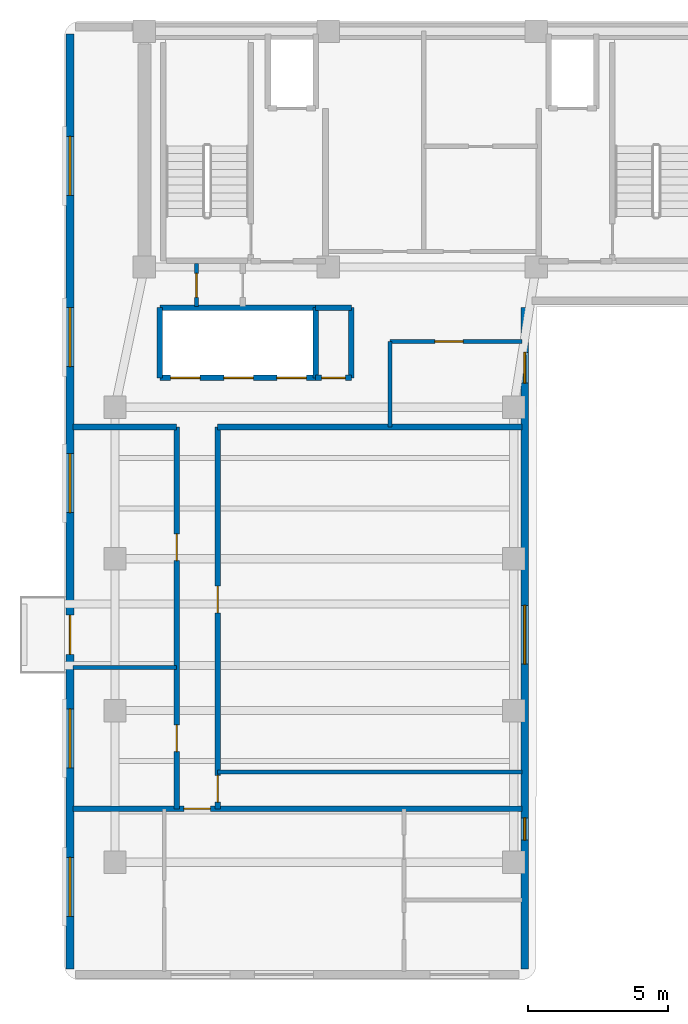
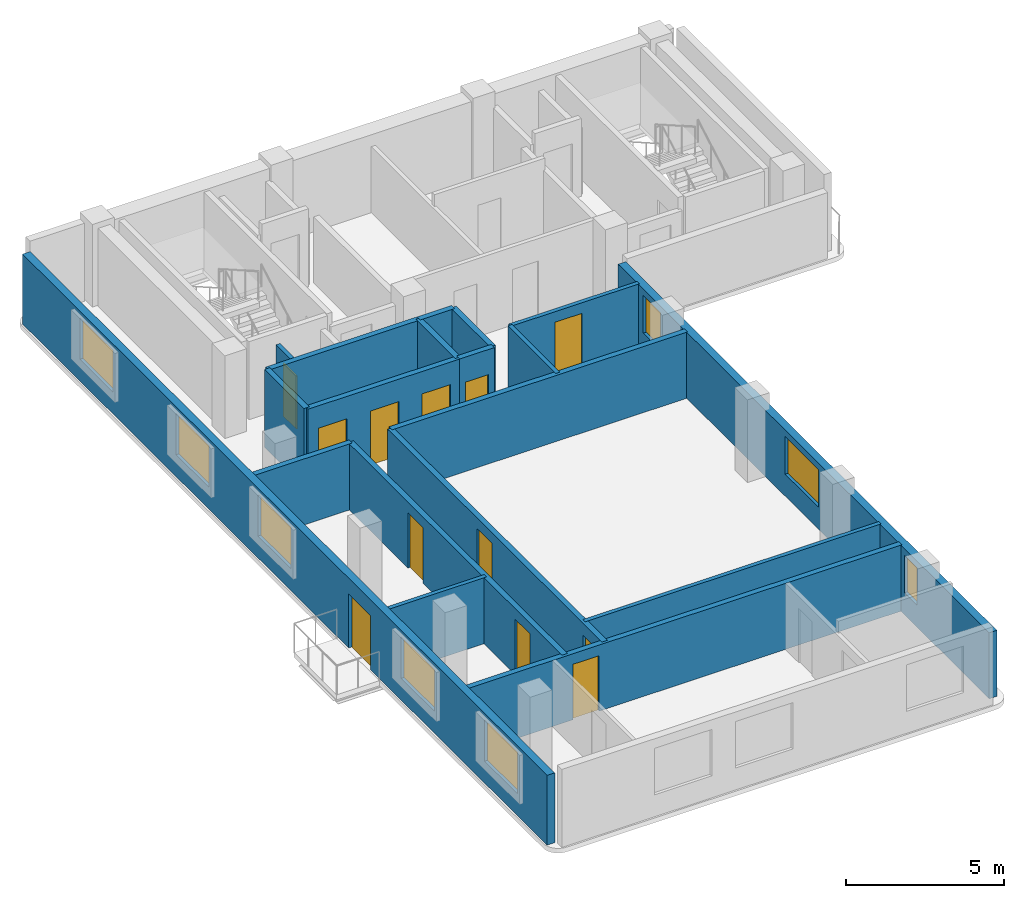
# One storey, part 2 of 5: 19 walls, 12 doors, 8 windows, 20 openings.
"""IFC4 building model written with IfcOpenShell, lengths in metres."""

from ifc_helpers import new_model, si_unit, direction, frame, frame_2d, origin, place, context, subcontext, project, spatial, rectangle, extrude, material, layer, layer_set, type_object, element, fill, save


model = new_model("IFC4")

# Units and contexts
model_context = context("Model", 3, precision=1e-05, world=origin(), true_north=direction((0.0, 1.0)))
body_context = subcontext(model_context, "Body", "Model", "MODEL_VIEW")
ifc_project = project(units=[si_unit("LENGTHUNIT", "METRE"), si_unit("AREAUNIT", "SQUARE_METRE"), si_unit("VOLUMEUNIT", "CUBIC_METRE"), si_unit("PLANEANGLEUNIT", "RADIAN"), si_unit("MASSUNIT", "GRAM", prefix="KILO")], contexts=[model_context])

# Site, building, storey
site_placement = place(None, origin())
site = spatial("IfcSite", under=ifc_project, at=site_placement, CompositionType="ELEMENT")
building_placement = place(site_placement, origin())
building = spatial("IfcBuilding", under=site, at=building_placement, Name="Kuzgunbayir Cultural Tower", CompositionType="ELEMENT")
storey_placement = place(building_placement, frame((0.0, 0.0, 231.199951171875)))
storey = spatial("IfcBuildingStorey", under=building, at=storey_placement, Name="L68", CompositionType="ELEMENT", Elevation=231.199951171875)

# Wall, openings, door, windows
ifc_material_1 = material(Name="Anatolian Cream Limestone", Category="masonry")
ifc_layer_1 = layer(ifc_material_1, 0.280029296875)
ifc_layer_set_1 = layer_set([ifc_layer_1], Name="Anatolian Cream Limestone")
wall_type_1 = type_object("IfcWallType", Name="WAL-EXT-STONE-280", PredefinedType="STANDARD", material=ifc_layer_set_1)
wall_1_placement = place(storey_placement, frame((3.800048828125, 42.10009765625, 0.0), z_axis=(0.0, 0.0, 1.0), x_axis=(0.0, -1.0, 0.0)))
wall_1 = element("IfcWall", 1, at=wall_1_placement, inside=storey, type_object=wall_type_1, Name="L68 Wing A West Limestone Wall", PredefinedType="STANDARD", context=body_context, shape_type="SweptSolid", body=[
    extrude(rectangle(XDim=33.300048828125, YDim=0.280029296875, at=frame_2d((16.64990234375, 0.0))), origin(), (0.0, 0.0, 1.0), 2.7099609375),
])
opening_1_placement = place(wall_1_placement, frame((20.699951171875, 0.0, 0.0)))
opening_1 = element("IfcOpeningElement", 2, at=opening_1_placement, cuts=wall_1, Name="Opening BD-15", PredefinedType="OPENING", context=body_context, shape_type="SweptSolid", body=[
    extrude(rectangle(XDim=1.39990234375, YDim=2.10009765625, at=frame_2d((0.699951171875, 1.050048828125))), frame((0.0, 0.14990234375, 0.0), z_axis=(0.0, -1.0, 0.0), x_axis=(1.0, 0.0, 0.0)), (0.0, 0.0, 1.0), 0.300048828125),
])
opening_2_placement = place(wall_1_placement, frame((29.330078125, 0.0, 0.85009765625)))
opening_2 = element("IfcOpeningElement", 3, at=opening_2_placement, cuts=wall_1, Name="Opening WR-21", PredefinedType="OPENING", context=body_context, shape_type="SweptSolid", body=[
    extrude(rectangle(XDim=2.10009765625, YDim=1.610107421875, at=frame_2d((1.050048828125, 0.80517578125))), frame((0.0, 0.14990234375, 0.0), z_axis=(0.0, -1.0, 0.0), x_axis=(1.0, 0.0, 0.0)), (0.0, 0.0, 1.0), 0.300048828125),
])
opening_3_placement = place(wall_1_placement, frame((24.0400390625, 0.0, 0.85009765625)))
opening_3 = element("IfcOpeningElement", 4, at=opening_3_placement, cuts=wall_1, Name="Opening WR-21", PredefinedType="OPENING", context=body_context, shape_type="SweptSolid", body=[
    extrude(rectangle(XDim=2.10009765625, YDim=1.610107421875, at=frame_2d((1.050048828125, 0.80517578125))), frame((0.0, 0.14990234375, 0.0), z_axis=(0.0, -1.0, 0.0), x_axis=(1.0, 0.0, 0.0)), (0.0, 0.0, 1.0), 0.300048828125),
])
opening_4_placement = place(wall_1_placement, frame((14.949951171875, 0.0, 0.85009765625)))
opening_4 = element("IfcOpeningElement", 5, at=opening_4_placement, cuts=wall_1, Name="Opening WR-21", PredefinedType="OPENING", context=body_context, shape_type="SweptSolid", body=[
    extrude(rectangle(XDim=2.10009765625, YDim=1.610107421875, at=frame_2d((1.050048828125, 0.80517578125))), frame((0.0, 0.14990234375, 0.0), z_axis=(0.0, -1.0, 0.0), x_axis=(1.0, 0.0, 0.0)), (0.0, 0.0, 1.0), 0.300048828125),
])
opening_5_placement = place(wall_1_placement, frame((9.75, 0.0, 0.85009765625)))
opening_5 = element("IfcOpeningElement", 6, at=opening_5_placement, cuts=wall_1, Name="Opening WR-21", PredefinedType="OPENING", context=body_context, shape_type="SweptSolid", body=[
    extrude(rectangle(XDim=2.10009765625, YDim=1.610107421875, at=frame_2d((1.050048828125, 0.80517578125))), frame((0.0, 0.14990234375, 0.0), z_axis=(0.0, -1.0, 0.0), x_axis=(1.0, 0.0, 0.0)), (0.0, 0.0, 1.0), 0.300048828125),
])
opening_6_placement = place(wall_1_placement, frame((3.64990234375, 0.0, 0.85009765625)))
opening_6 = element("IfcOpeningElement", 7, at=opening_6_placement, cuts=wall_1, Name="Opening WR-21", PredefinedType="OPENING", context=body_context, shape_type="SweptSolid", body=[
    extrude(rectangle(XDim=2.10009765625, YDim=1.610107421875, at=frame_2d((1.050048828125, 0.80517578125))), frame((0.0, 0.14990234375, 0.0), z_axis=(0.0, -1.0, 0.0), x_axis=(1.0, 0.0, 0.0)), (0.0, 0.0, 1.0), 0.300048828125),
])
ifc_material_2 = material(Name="Thermally Broken Glazed Aluminium", Category="aluminium")
door_type_1 = type_object("IfcDoorType", Name="DR-BALCONY-150", OperationType="SLIDING_TO_RIGHT", PredefinedType="DOOR", material=ifc_material_2)
door_1_placement = place(opening_1_placement, origin())
door_1 = element("IfcDoor", 8, at=door_1_placement, inside=storey, type_object=door_type_1, Name="L68 West Balcony Sliding Door BAL-L68-WA2", OperationType="SLIDING_TO_RIGHT", OverallHeight=2.10009765625, OverallWidth=1.39990234375, PredefinedType="DOOR", context=body_context, shape_type="SweptSolid", body=[
    extrude(rectangle(XDim=1.39990234375, YDim=2.10009765625, at=frame_2d((0.699951171875, 1.050048828125))), frame((0.0, 0.02490234375, 0.0), z_axis=(0.0, -1.0, 0.0), x_axis=(1.0, 0.0, 0.0)), (0.0, 0.0, 1.0), 0.050048828125),
])
fill(opening_1, door_1)
ifc_material_3 = material(Name="Solar-Control Triple Glazing", Category="glass")
window_type_1 = type_object("IfcWindowType", Name="WIN-RESID-21", PartitioningType="SINGLE_PANEL", PredefinedType="WINDOW", material=ifc_material_3)
window_1_placement = place(opening_2_placement, origin())
window_1 = element("IfcWindow", 9, at=window_1_placement, inside=storey, type_object=window_type_1, Name="L68 WAW Facade Window 2", OverallHeight=1.610107421875, OverallWidth=2.10009765625, PartitioningType="SINGLE_PANEL", PredefinedType="WINDOW", context=body_context, shape_type="SweptSolid", body=[
    extrude(rectangle(XDim=2.10009765625, YDim=1.610107421875, at=frame_2d((1.050048828125, 0.80517578125))), frame((0.0, 0.030029296875, 0.0), z_axis=(0.0, -1.0, 0.0), x_axis=(1.0, 0.0, 0.0)), (0.0, 0.0, 1.0), 0.06005859375),
])
fill(opening_2, window_1)
window_2_placement = place(opening_3_placement, origin())
window_2 = element("IfcWindow", 10, at=window_2_placement, inside=storey, type_object=window_type_1, Name="L68 WAW Facade Window 6", OverallHeight=1.610107421875, OverallWidth=2.10009765625, PartitioningType="SINGLE_PANEL", PredefinedType="WINDOW", context=body_context, shape_type="SweptSolid", body=[
    extrude(rectangle(XDim=2.10009765625, YDim=1.610107421875, at=frame_2d((1.050048828125, 0.80517578125))), frame((0.0, 0.030029296875, 0.0), z_axis=(0.0, -1.0, 0.0), x_axis=(1.0, 0.0, 0.0)), (0.0, 0.0, 1.0), 0.06005859375),
])
fill(opening_3, window_2)
window_3_placement = place(opening_4_placement, origin())
window_3 = element("IfcWindow", 11, at=window_3_placement, inside=storey, type_object=window_type_1, Name="L68 WAW Facade Window 8", OverallHeight=1.610107421875, OverallWidth=2.10009765625, PartitioningType="SINGLE_PANEL", PredefinedType="WINDOW", context=body_context, shape_type="SweptSolid", body=[
    extrude(rectangle(XDim=2.10009765625, YDim=1.610107421875, at=frame_2d((1.050048828125, 0.80517578125))), frame((0.0, 0.030029296875, 0.0), z_axis=(0.0, -1.0, 0.0), x_axis=(1.0, 0.0, 0.0)), (0.0, 0.0, 1.0), 0.06005859375),
])
fill(opening_4, window_3)
window_4_placement = place(opening_5_placement, origin())
window_4 = element("IfcWindow", 12, at=window_4_placement, inside=storey, type_object=window_type_1, Name="L68 WAW Facade Window 9", OverallHeight=1.610107421875, OverallWidth=2.10009765625, PartitioningType="SINGLE_PANEL", PredefinedType="WINDOW", context=body_context, shape_type="SweptSolid", body=[
    extrude(rectangle(XDim=2.10009765625, YDim=1.610107421875, at=frame_2d((1.050048828125, 0.80517578125))), frame((0.0, 0.030029296875, 0.0), z_axis=(0.0, -1.0, 0.0), x_axis=(1.0, 0.0, 0.0)), (0.0, 0.0, 1.0), 0.06005859375),
])
fill(opening_5, window_4)
window_5_placement = place(opening_6_placement, origin())
window_5 = element("IfcWindow", 13, at=window_5_placement, inside=storey, type_object=window_type_1, Name="L68 WAW Facade Window 10", OverallHeight=1.610107421875, OverallWidth=2.10009765625, PartitioningType="SINGLE_PANEL", PredefinedType="WINDOW", context=body_context, shape_type="SweptSolid", body=[
    extrude(rectangle(XDim=2.10009765625, YDim=1.610107421875, at=frame_2d((1.050048828125, 0.80517578125))), frame((0.0, 0.030029296875, 0.0), z_axis=(0.0, -1.0, 0.0), x_axis=(1.0, 0.0, 0.0)), (0.0, 0.0, 1.0), 0.06005859375),
])
fill(opening_6, window_5)

# Wall, openings, windows
wall_2_placement = place(storey_placement, frame((20.0, 8.800048828125, 0.0), z_axis=(0.0, 0.0, 1.0), x_axis=(0.0, 1.0, 0.0)))
wall_2 = element("IfcWall", 14, at=wall_2_placement, inside=storey, type_object=wall_type_1, Name="L68 Wing A East Limestone Wall", PredefinedType="STANDARD", context=body_context, shape_type="SweptSolid", body=[
    extrude(rectangle(XDim=23.550048828125, YDim=0.280029296875, at=frame_2d((11.77490234375, 0.0))), origin(), (0.0, 0.0, 1.0), 2.56005859375),
])
opening_7_placement = place(wall_2_placement, frame((20.860107421875, 0.0, 0.85009765625)))
opening_7 = element("IfcOpeningElement", 15, at=opening_7_placement, cuts=wall_2, Name="Opening WN-11", PredefinedType="OPENING", context=body_context, shape_type="SweptSolid", body=[
    extrude(rectangle(XDim=1.10009765625, YDim=1.4599609375, at=frame_2d((0.550048828125, 0.72998046875))), frame((0.0, 0.14990234375, 0.0), z_axis=(0.0, -1.0, 0.0), x_axis=(1.0, 0.0, 0.0)), (0.0, 0.0, 1.0), 0.300048828125),
])
opening_8_placement = place(wall_2_placement, frame((4.580078125, 0.0, 0.85009765625)))
opening_8 = element("IfcOpeningElement", 16, at=opening_8_placement, cuts=wall_2, Name="Opening WN-08", PredefinedType="OPENING", context=body_context, shape_type="SweptSolid", body=[
    extrude(rectangle(XDim=0.800048828125, YDim=1.4599609375, at=frame_2d((0.39990234375, 0.72998046875))), frame((0.0, 0.14990234375, 0.0), z_axis=(0.0, -1.0, 0.0), x_axis=(1.0, 0.0, 0.0)), (0.0, 0.0, 1.0), 0.300048828125),
])
opening_9_placement = place(wall_2_placement, frame((10.85009765625, 0.0, 0.85009765625)))
opening_9 = element("IfcOpeningElement", 17, at=opening_9_placement, cuts=wall_2, Name="Opening WR-21", PredefinedType="OPENING", context=body_context, shape_type="SweptSolid", body=[
    extrude(rectangle(XDim=2.10009765625, YDim=1.4599609375, at=frame_2d((1.050048828125, 0.72998046875))), frame((0.0, 0.14990234375, 0.0), z_axis=(0.0, -1.0, 0.0), x_axis=(1.0, 0.0, 0.0)), (0.0, 0.0, 1.0), 0.300048828125),
])
window_type_2 = type_object("IfcWindowType", Name="WIN-NARROW-11", PartitioningType="SINGLE_PANEL", PredefinedType="WINDOW", material=ifc_material_3)
window_6_placement = place(opening_7_placement, origin())
window_6 = element("IfcWindow", 18, at=window_6_placement, inside=storey, type_object=window_type_2, Name="L68 WAE Facade Window 1", OverallHeight=1.4599609375, OverallWidth=1.10009765625, PartitioningType="SINGLE_PANEL", PredefinedType="WINDOW", context=body_context, shape_type="SweptSolid", body=[
    extrude(rectangle(XDim=1.10009765625, YDim=1.4599609375, at=frame_2d((0.550048828125, 0.72998046875))), frame((0.0, 0.030029296875, 0.0), z_axis=(0.0, -1.0, 0.0), x_axis=(1.0, 0.0, 0.0)), (0.0, 0.0, 1.0), 0.06005859375),
])
fill(opening_7, window_6)
window_type_3 = type_object("IfcWindowType", Name="WIN-NARROW-80", PartitioningType="SINGLE_PANEL", PredefinedType="WINDOW", material=ifc_material_3)
window_7_placement = place(opening_8_placement, origin())
window_7 = element("IfcWindow", 19, at=window_7_placement, inside=storey, type_object=window_type_3, Name="L68 WAE Facade Window 5", OverallHeight=1.4599609375, OverallWidth=0.800048828125, PartitioningType="SINGLE_PANEL", PredefinedType="WINDOW", context=body_context, shape_type="SweptSolid", body=[
    extrude(rectangle(XDim=0.800048828125, YDim=1.4599609375, at=frame_2d((0.39990234375, 0.72998046875))), frame((0.0, 0.030029296875, 0.0), z_axis=(0.0, -1.0, 0.0), x_axis=(1.0, 0.0, 0.0)), (0.0, 0.0, 1.0), 0.06005859375),
])
fill(opening_8, window_7)
window_8_placement = place(opening_9_placement, origin())
window_8 = element("IfcWindow", 20, at=window_8_placement, inside=storey, type_object=window_type_1, Name="L68 WAE Facade Window 7", OverallHeight=1.4599609375, OverallWidth=2.10009765625, PartitioningType="SINGLE_PANEL", PredefinedType="WINDOW", context=body_context, shape_type="SweptSolid", body=[
    extrude(rectangle(XDim=2.10009765625, YDim=1.4599609375, at=frame_2d((1.050048828125, 0.72998046875))), frame((0.0, 0.030029296875, 0.0), z_axis=(0.0, -1.0, 0.0), x_axis=(1.0, 0.0, 0.0)), (0.0, 0.0, 1.0), 0.06005859375),
])
fill(opening_9, window_8)

# Wall, opening, door
ifc_material_4 = material(Name="Acoustic Double-Stud Drywall", Category="gypsum")
ifc_layer_2 = layer(ifc_material_4, 0.14990234375)
ifc_layer_set_2 = layer_set([ifc_layer_2], Name="Acoustic Double-Stud Drywall")
wall_type_2 = type_object("IfcWallType", Name="WAL-PART-ACOUSTIC-150", PredefinedType="PARTITIONING", material=ifc_layer_set_2)
wall_3_placement = place(storey_placement, frame((8.300048828125, 32.39990234375, 0.0), z_axis=(0.0, 0.0, 1.0), x_axis=(0.0, 1.0, 0.0)))
wall_3 = element("IfcWall", 21, at=wall_3_placement, inside=storey, type_object=wall_type_2, Name="L68 West Core Closet Divider", PredefinedType="PARTITIONING", context=body_context, shape_type="SweptSolid", body=[
    extrude(rectangle(XDim=1.52001953125, YDim=0.14990234375, at=frame_2d((0.760009765625, 0.0))), origin(), (0.0, 0.0, 1.0), 2.56005859375),
])
opening_10_placement = place(wall_3_placement, frame((0.320068359375, 0.0, 0.0)))
opening_10 = element("IfcOpeningElement", 22, at=opening_10_placement, cuts=wall_3, Name="Opening DR-RSR-60", PredefinedType="OPENING", context=body_context, shape_type="SweptSolid", body=[
    extrude(rectangle(XDim=0.85009765625, YDim=2.050048828125, at=frame_2d((0.425048828125, 1.02490234375))), frame((0.0, 0.0849609375, 0.0), z_axis=(0.0, -1.0, 0.0), x_axis=(1.0, 0.0, 0.0)), (0.0, 0.0, 1.0), 0.169921875),
])
ifc_material_5 = material(Name="Steel Access Leaf", Category="steel")
door_type_2 = type_object("IfcDoorType", Name="DR-RISER-60", OperationType="NOTDEFINED", PredefinedType="DOOR", material=ifc_material_5)
door_2_placement = place(opening_10_placement, origin())
door_2 = element("IfcDoor", 23, at=door_2_placement, inside=storey, type_object=door_type_2, Name="L68 Sub-Meter Closet Door", OperationType="SINGLE_SWING_RIGHT", OverallHeight=2.050048828125, OverallWidth=0.85009765625, PredefinedType="DOOR", context=body_context, shape_type="SweptSolid", body=[
    extrude(rectangle(XDim=0.85009765625, YDim=2.050048828125, at=frame_2d((0.425048828125, 1.02490234375))), frame((0.0, 0.02490234375, 0.0), z_axis=(0.0, -1.0, 0.0), x_axis=(1.0, 0.0, 0.0)), (0.0, 0.0, 1.0), 0.050048828125),
])
fill(opening_10, door_2)

wall_4_placement = place(storey_placement, frame((15.199951171875, 31.14990234375, 0.0), z_axis=(0.0, 0.0, 1.0), x_axis=(1.0, 0.0, 0.0)))
wall_4 = element("IfcWall", 24, at=wall_4_placement, inside=storey, type_object=wall_type_2, Name="L68 Central Sky Salon North Wall", PredefinedType="PARTITIONING", context=body_context, shape_type="SweptSolid", body=[
    extrude(rectangle(XDim=4.699951171875, YDim=0.14990234375, at=frame_2d((2.35009765625, 0.0))), origin(), (0.0, 0.0, 1.0), 2.56005859375),
])
opening_11_placement = place(wall_4_placement, frame((1.60009765625, 0.0, 0.0)))
opening_11 = element("IfcOpeningElement", 25, at=opening_11_placement, cuts=wall_4, Name="Opening DI-100", PredefinedType="OPENING", context=body_context, shape_type="SweptSolid", body=[
    extrude(rectangle(XDim=1.0, YDim=2.14990234375, at=frame_2d((0.5, 1.074951171875))), frame((0.0, 0.0849609375, 0.0), z_axis=(0.0, -1.0, 0.0), x_axis=(1.0, 0.0, 0.0)), (0.0, 0.0, 1.0), 0.169921875),
])
ifc_material_6 = material(Name="Veneered Oak Single Leaf", Category="wood")
door_type_3 = type_object("IfcDoorType", Name="DR-INT-100", OperationType="NOTDEFINED", PredefinedType="DOOR", material=ifc_material_6)
door_3_placement = place(opening_11_placement, origin())
door_3 = element("IfcDoor", 26, at=door_3_placement, inside=storey, type_object=door_type_3, Name="L68 Central Sky Salon Door", OperationType="SINGLE_SWING_RIGHT", OverallHeight=2.14990234375, OverallWidth=1.0, PredefinedType="DOOR", context=body_context, shape_type="SweptSolid", body=[
    extrude(rectangle(XDim=1.0, YDim=2.14990234375, at=frame_2d((0.5, 1.074951171875))), frame((0.0, 0.02490234375, 0.0), z_axis=(0.0, -1.0, 0.0), x_axis=(1.0, 0.0, 0.0)), (0.0, 0.0, 1.0), 0.050048828125),
])
fill(opening_11, door_3)

# Walls
wall_5_placement = place(storey_placement, frame((15.199951171875, 28.10009765625, 0.0), z_axis=(0.0, 0.0, 1.0), x_axis=(0.0, 1.0, 0.0)))
element("IfcWall", 27, at=wall_5_placement, inside=storey, type_object=wall_type_2, Name="L68 Central Sky Salon West Wall", PredefinedType="PARTITIONING", context=body_context, shape_type="SweptSolid", body=[
    extrude(rectangle(XDim=3.0498046875, YDim=0.14990234375, at=frame_2d((1.52490234375, 0.0))), origin(), (0.0, 0.0, 1.0), 2.56005859375),
])
wall_6_placement = place(storey_placement, frame((3.89990234375, 19.530029296875, 0.0), z_axis=(0.0, 0.0, 1.0), x_axis=(1.0, 0.0, 0.0)))
element("IfcWall", 28, at=wall_6_placement, inside=storey, type_object=wall_type_2, Name="L68 West Study Partition 1", PredefinedType="PARTITIONING", context=body_context, shape_type="SweptSolid", body=[
    extrude(rectangle(XDim=3.7001953125, YDim=0.14990234375, at=frame_2d((1.85009765625, 0.0))), origin(), (0.0, 0.0, 1.0), 2.56005859375),
])

# Wall, opening, door
ifc_material_7 = material(Name="Aerated Concrete Blockwork", Category="masonry")
ifc_layer_3 = layer(ifc_material_7, 0.199951171875)
ifc_layer_set_3 = layer_set([ifc_layer_3], Name="Aerated Concrete Blockwork")
wall_type_3 = type_object("IfcWallType", Name="WAL-PART-FIRE-200", PredefinedType="PARTITIONING", material=ifc_layer_set_3)
wall_7_placement = place(storey_placement, frame((12.550048828125, 29.85009765625, 0.0), z_axis=(0.0, 0.0, 1.0), x_axis=(1.0, 0.0, 0.0)))
wall_7 = element("IfcWall", 29, at=wall_7_placement, inside=storey, type_object=wall_type_3, Name="L68 Center Core Switchgear South Wall", PredefinedType="PARTITIONING", context=body_context, shape_type="SweptSolid", body=[
    extrude(rectangle(XDim=1.27001953125, YDim=0.199951171875, at=frame_2d((0.635009765625, 0.0))), origin(), (0.0, 0.0, 1.0), 3.02001953125),
])
opening_12_placement = place(wall_7_placement, frame((0.2099609375, 0.0, 0.0)))
opening_12 = element("IfcOpeningElement", 30, at=opening_12_placement, cuts=wall_7, Name="Opening DR-RSR-60", PredefinedType="OPENING", context=body_context, shape_type="SweptSolid", body=[
    extrude(rectangle(XDim=0.85009765625, YDim=2.050048828125, at=frame_2d((0.425048828125, 1.02490234375))), frame((0.0, 0.10986328125, 0.0), z_axis=(0.0, -1.0, 0.0), x_axis=(1.0, 0.0, 0.0)), (0.0, 0.0, 1.0), 0.219970703125),
])
door_4_placement = place(opening_12_placement, origin())
door_4 = element("IfcDoor", 31, at=door_4_placement, inside=storey, type_object=door_type_2, Name="L68 Telecom Closet Door", OperationType="SINGLE_SWING_LEFT", OverallHeight=2.050048828125, OverallWidth=0.85009765625, PredefinedType="DOOR", context=body_context, shape_type="SweptSolid", body=[
    extrude(rectangle(XDim=0.85009765625, YDim=2.050048828125, at=frame_2d((0.425048828125, 1.02490234375))), frame((0.0, 0.02490234375, 0.0), z_axis=(0.0, -1.0, 0.0), x_axis=(1.0, 0.0, 0.0)), (0.0, 0.0, 1.0), 0.050048828125),
])
fill(opening_12, door_4)

# Walls
wall_8_placement = place(storey_placement, frame((13.820068359375, 29.85009765625, 0.0), z_axis=(0.0, 0.0, 1.0), x_axis=(0.0, 1.0, 0.0)))
element("IfcWall", 32, at=wall_8_placement, inside=storey, type_object=wall_type_3, Name="L68 Center Core Switchgear East Wall", PredefinedType="PARTITIONING", context=body_context, shape_type="SweptSolid", body=[
    extrude(rectangle(XDim=2.5, YDim=0.199951171875, at=frame_2d((1.25, 0.0))), origin(), (0.0, 0.0, 1.0), 3.02001953125),
])
wall_9_placement = place(storey_placement, frame((12.550048828125, 32.35009765625, 0.0), z_axis=(0.0, 0.0, 1.0), x_axis=(1.0, 0.0, 0.0)))
element("IfcWall", 33, at=wall_9_placement, inside=storey, type_object=wall_type_3, Name="L68 Center Core Switchgear North Wall", PredefinedType="PARTITIONING", context=body_context, shape_type="SweptSolid", body=[
    extrude(rectangle(XDim=1.27001953125, YDim=0.199951171875, at=frame_2d((0.635009765625, 0.0))), origin(), (0.0, 0.0, 1.0), 3.02001953125),
])

# Wall, openings, doors
wall_10_placement = place(storey_placement, frame((7.60009765625, 14.5, 0.0), z_axis=(0.0, 0.0, 1.0), x_axis=(0.0, 1.0, 0.0)))
wall_10 = element("IfcWall", 34, at=wall_10_placement, inside=storey, type_object=wall_type_3, Name="L68 Wing A West Corridor Wall", PredefinedType="PARTITIONING", context=body_context, shape_type="SweptSolid", body=[
    extrude(rectangle(XDim=13.60009765625, YDim=0.199951171875, at=frame_2d((6.800048828125, 0.0))), origin(), (0.0, 0.0, 1.0), 2.56005859375),
])
opening_13_placement = place(wall_10_placement, frame((2.0400390625, 0.0, 0.0)))
opening_13 = element("IfcOpeningElement", 35, at=opening_13_placement, cuts=wall_10, Name="Opening DI-90", PredefinedType="OPENING", context=body_context, shape_type="SweptSolid", body=[
    extrude(rectangle(XDim=0.949951171875, YDim=2.14990234375, at=frame_2d((0.47509765625, 1.074951171875))), frame((0.0, 0.10986328125, 0.0), z_axis=(0.0, -1.0, 0.0), x_axis=(1.0, 0.0, 0.0)), (0.0, 0.0, 1.0), 0.219970703125),
])
opening_14_placement = place(wall_10_placement, frame((8.840087890625, 0.0, 0.0)))
opening_14 = element("IfcOpeningElement", 36, at=opening_14_placement, cuts=wall_10, Name="Opening DI-90", PredefinedType="OPENING", context=body_context, shape_type="SweptSolid", body=[
    extrude(rectangle(XDim=0.949951171875, YDim=2.14990234375, at=frame_2d((0.47509765625, 1.074951171875))), frame((0.0, 0.10986328125, 0.0), z_axis=(0.0, -1.0, 0.0), x_axis=(1.0, 0.0, 0.0)), (0.0, 0.0, 1.0), 0.219970703125),
])
door_type_4 = type_object("IfcDoorType", Name="DR-INT-90", OperationType="NOTDEFINED", PredefinedType="DOOR", material=ifc_material_6)
door_5_placement = place(opening_13_placement, origin())
door_5 = element("IfcDoor", 37, at=door_5_placement, inside=storey, type_object=door_type_4, Name="L68 Wellness Consultation Studio W1 Door", OperationType="SINGLE_SWING_LEFT", OverallHeight=2.14990234375, OverallWidth=0.949951171875, PredefinedType="DOOR", context=body_context, shape_type="SweptSolid", body=[
    extrude(rectangle(XDim=0.949951171875, YDim=2.14990234375, at=frame_2d((0.47509765625, 1.074951171875))), frame((0.0, 0.02490234375, 0.0), z_axis=(0.0, -1.0, 0.0), x_axis=(1.0, 0.0, 0.0)), (0.0, 0.0, 1.0), 0.050048828125),
])
fill(opening_13, door_5)
door_6_placement = place(opening_14_placement, origin())
door_6 = element("IfcDoor", 38, at=door_6_placement, inside=storey, type_object=door_type_4, Name="L68 Culinary Tasting Pantry W2 Door", OperationType="SINGLE_SWING_RIGHT", OverallHeight=2.14990234375, OverallWidth=0.949951171875, PredefinedType="DOOR", context=body_context, shape_type="SweptSolid", body=[
    extrude(rectangle(XDim=0.949951171875, YDim=2.14990234375, at=frame_2d((0.47509765625, 1.074951171875))), frame((0.0, 0.02490234375, 0.0), z_axis=(0.0, -1.0, 0.0), x_axis=(1.0, 0.0, 0.0)), (0.0, 0.0, 1.0), 0.050048828125),
])
fill(opening_14, door_6)

wall_11_placement = place(storey_placement, frame((9.06005859375, 14.5, 0.0), z_axis=(0.0, 0.0, 1.0), x_axis=(0.0, 1.0, 0.0)))
wall_11 = element("IfcWall", 39, at=wall_11_placement, inside=storey, type_object=wall_type_3, Name="L68 Wing A East Corridor Wall", PredefinedType="PARTITIONING", context=body_context, shape_type="SweptSolid", body=[
    extrude(rectangle(XDim=13.60009765625, YDim=0.199951171875, at=frame_2d((6.800048828125, 0.0))), origin(), (0.0, 0.0, 1.0), 2.56005859375),
])
opening_15_placement = place(wall_11_placement, frame((0.239990234375, 0.0, 0.0)))
opening_15 = element("IfcOpeningElement", 40, at=opening_15_placement, cuts=wall_11, Name="Opening DW-95", PredefinedType="OPENING", context=body_context, shape_type="SweptSolid", body=[
    extrude(rectangle(XDim=0.949951171875, YDim=2.10009765625, at=frame_2d((0.47509765625, 1.050048828125))), frame((0.0, 0.10986328125, 0.0), z_axis=(0.0, -1.0, 0.0), x_axis=(1.0, 0.0, 0.0)), (0.0, 0.0, 1.0), 0.219970703125),
])
opening_16_placement = place(wall_11_placement, frame((6.97998046875, 0.0, 0.0)))
opening_16 = element("IfcOpeningElement", 41, at=opening_16_placement, cuts=wall_11, Name="Opening DI-90", PredefinedType="OPENING", context=body_context, shape_type="SweptSolid", body=[
    extrude(rectangle(XDim=0.949951171875, YDim=2.14990234375, at=frame_2d((0.47509765625, 1.074951171875))), frame((0.0, 0.10986328125, 0.0), z_axis=(0.0, -1.0, 0.0), x_axis=(1.0, 0.0, 0.0)), (0.0, 0.0, 1.0), 0.219970703125),
])
door_7_placement = place(opening_16_placement, origin())
door_7 = element("IfcDoor", 42, at=door_7_placement, inside=storey, type_object=door_type_4, Name="L68 East Wellness Consultation Studio E1 Door", OperationType="SINGLE_SWING_RIGHT", OverallHeight=2.14990234375, OverallWidth=0.949951171875, PredefinedType="DOOR", context=body_context, shape_type="SweptSolid", body=[
    extrude(rectangle(XDim=0.949951171875, YDim=2.14990234375, at=frame_2d((0.47509765625, 1.074951171875))), frame((0.0, 0.02490234375, 0.0), z_axis=(0.0, -1.0, 0.0), x_axis=(1.0, 0.0, 0.0)), (0.0, 0.0, 1.0), 0.050048828125),
])
fill(opening_16, door_7)
ifc_material_8 = material(Name="Laminate Moisture-Resistant Leaf", Category="wood")
door_type_5 = type_object("IfcDoorType", Name="DR-WET-95", OperationType="NOTDEFINED", PredefinedType="DOOR", material=ifc_material_8)
door_8_placement = place(opening_15_placement, origin())
door_8 = element("IfcDoor", 43, at=door_8_placement, inside=storey, type_object=door_type_5, Name="L68 Visitor Accessible WC Door", OperationType="SINGLE_SWING_LEFT", OverallHeight=2.10009765625, OverallWidth=0.949951171875, PredefinedType="DOOR", context=body_context, shape_type="SweptSolid", body=[
    extrude(rectangle(XDim=0.949951171875, YDim=2.10009765625, at=frame_2d((0.47509765625, 1.050048828125))), frame((0.0, 0.02490234375, 0.0), z_axis=(0.0, -1.0, 0.0), x_axis=(1.0, 0.0, 0.0)), (0.0, 0.0, 1.0), 0.050048828125),
])
fill(opening_15, door_8)

# Wall, opening, door
wall_12_placement = place(storey_placement, frame((3.89990234375, 14.5, 0.0), z_axis=(0.0, 0.0, 1.0), x_axis=(1.0, 0.0, 0.0)))
wall_12 = element("IfcWall", 44, at=wall_12_placement, inside=storey, type_object=wall_type_3, Name="L68 South Cross Partition", PredefinedType="PARTITIONING", context=body_context, shape_type="SweptSolid", body=[
    extrude(rectangle(XDim=16.0, YDim=0.199951171875, at=frame_2d((8.0, 0.0))), origin(), (0.0, 0.0, 1.0), 2.56005859375),
])
opening_17_placement = place(wall_12_placement, frame((3.949951171875, 0.0, 0.0)))
opening_17 = element("IfcOpeningElement", 45, at=opening_17_placement, cuts=wall_12, Name="Opening DR-APT-60", PredefinedType="OPENING", context=body_context, shape_type="SweptSolid", body=[
    extrude(rectangle(XDim=0.949951171875, YDim=2.14990234375, at=frame_2d((0.47509765625, 1.074951171875))), frame((0.0, 0.10986328125, 0.0), z_axis=(0.0, -1.0, 0.0), x_axis=(1.0, 0.0, 0.0)), (0.0, 0.0, 1.0), 0.219970703125),
])
ifc_material_9 = material(Name="Acoustic Fire Timber Leaf", Category="wood")
door_type_6 = type_object("IfcDoorType", Name="DR-APT-60", OperationType="NOTDEFINED", PredefinedType="DOOR", material=ifc_material_9)
door_9_placement = place(opening_17_placement, origin())
door_9 = element("IfcDoor", 46, at=door_9_placement, inside=storey, type_object=door_type_6, Name="L68 Apartment A Entrance", OperationType="SINGLE_SWING_LEFT", OverallHeight=2.14990234375, OverallWidth=0.949951171875, PredefinedType="DOOR", context=body_context, shape_type="SweptSolid", body=[
    extrude(rectangle(XDim=0.949951171875, YDim=2.14990234375, at=frame_2d((0.47509765625, 1.074951171875))), frame((0.0, 0.02490234375, 0.0), z_axis=(0.0, -1.0, 0.0), x_axis=(1.0, 0.0, 0.0)), (0.0, 0.0, 1.0), 0.050048828125),
])
fill(opening_17, door_9)

# Walls
wall_13_placement = place(storey_placement, frame((3.89990234375, 28.10009765625, 0.0), z_axis=(0.0, 0.0, 1.0), x_axis=(1.0, 0.0, 0.0)))
element("IfcWall", 47, at=wall_13_placement, inside=storey, type_object=wall_type_3, Name="L68 North West Partition", PredefinedType="PARTITIONING", context=body_context, shape_type="SweptSolid", body=[
    extrude(rectangle(XDim=3.7001953125, YDim=0.199951171875, at=frame_2d((1.85009765625, 0.0))), origin(), (0.0, 0.0, 1.0), 2.56005859375),
])
wall_14_placement = place(storey_placement, frame((9.06005859375, 28.10009765625, 0.0), z_axis=(0.0, 0.0, 1.0), x_axis=(1.0, 0.0, 0.0)))
element("IfcWall", 48, at=wall_14_placement, inside=storey, type_object=wall_type_3, Name="L68 North East Partition", PredefinedType="PARTITIONING", context=body_context, shape_type="SweptSolid", body=[
    extrude(rectangle(XDim=10.83984375, YDim=0.199951171875, at=frame_2d((5.419921875, 0.0))), origin(), (0.0, 0.0, 1.0), 2.56005859375),
])
ifc_material_10 = material(Name="Moisture-Resistant Tile Partition", Category="gypsum")
ifc_layer_4 = layer(ifc_material_10, 0.14990234375)
ifc_layer_set_4 = layer_set([ifc_layer_4], Name="Moisture-Resistant Tile Partition")
wall_type_4 = type_object("IfcWallType", Name="WAL-PART-WET-150", PredefinedType="PARTITIONING", material=ifc_layer_set_4)
wall_15_placement = place(storey_placement, frame((9.06005859375, 15.81005859375, 0.0), z_axis=(0.0, 0.0, 1.0), x_axis=(1.0, 0.0, 0.0)))
element("IfcWall", 49, at=wall_15_placement, inside=storey, type_object=wall_type_4, Name="L68 East Accessible WC Wall", PredefinedType="PARTITIONING", context=body_context, shape_type="SweptSolid", body=[
    extrude(rectangle(XDim=10.83984375, YDim=0.14990234375, at=frame_2d((5.419921875, 0.0))), origin(), (0.0, 0.0, 1.0), 2.56005859375),
])

# Wall, openings, doors
ifc_material_11 = material(Name="Concrete C40/50", Category="concrete")
ifc_layer_5 = layer(ifc_material_11, 0.199951171875)
ifc_layer_set_5 = layer_set([ifc_layer_5], Name="Concrete C40/50")
wall_type_5 = type_object("IfcWallType", Name="WAL-SHAFT-200", PredefinedType="MOVABLE", material=ifc_layer_set_5)
wall_16_placement = place(storey_placement, frame((7.0, 29.85009765625, 0.0), z_axis=(0.0, 0.0, 1.0), x_axis=(1.0, 0.0, 0.0)))
wall_16 = element("IfcWall", 50, at=wall_16_placement, inside=storey, type_object=wall_type_5, Name="L68 High-Rise Lift Shaft South Wall", PredefinedType="MOVABLE", context=body_context, shape_type="SweptSolid", body=[
    extrude(rectangle(XDim=5.550048828125, YDim=0.199951171875, at=frame_2d((2.77490234375, 0.0))), origin(), (0.0, 0.0, 1.0), 3.02001953125),
])
opening_18_placement = place(wall_16_placement, frame((0.3798828125, 0.0, 0.0)))
opening_18 = element("IfcOpeningElement", 51, at=opening_18_placement, cuts=wall_16, Name="Opening LD", PredefinedType="OPENING", context=body_context, shape_type="SweptSolid", body=[
    extrude(rectangle(XDim=1.050048828125, YDim=2.14990234375, at=frame_2d((0.52490234375, 1.074951171875))), frame((0.0, 0.10986328125, 0.0), z_axis=(0.0, -1.0, 0.0), x_axis=(1.0, 0.0, 0.0)), (0.0, 0.0, 1.0), 0.219970703125),
])
opening_19_placement = place(wall_16_placement, frame((2.280029296875, 0.0, 0.0)))
opening_19 = element("IfcOpeningElement", 52, at=opening_19_placement, cuts=wall_16, Name="Opening LD", PredefinedType="OPENING", context=body_context, shape_type="SweptSolid", body=[
    extrude(rectangle(XDim=1.050048828125, YDim=2.14990234375, at=frame_2d((0.52490234375, 1.074951171875))), frame((0.0, 0.10986328125, 0.0), z_axis=(0.0, -1.0, 0.0), x_axis=(1.0, 0.0, 0.0)), (0.0, 0.0, 1.0), 0.219970703125),
])
opening_20_placement = place(wall_16_placement, frame((4.169921875, 0.0, 0.0)))
opening_20 = element("IfcOpeningElement", 53, at=opening_20_placement, cuts=wall_16, Name="Opening LD", PredefinedType="OPENING", context=body_context, shape_type="SweptSolid", body=[
    extrude(rectangle(XDim=1.050048828125, YDim=2.14990234375, at=frame_2d((0.52490234375, 1.074951171875))), frame((0.0, 0.10986328125, 0.0), z_axis=(0.0, -1.0, 0.0), x_axis=(1.0, 0.0, 0.0)), (0.0, 0.0, 1.0), 0.219970703125),
])
ifc_material_12 = material(Name="Brushed Stainless Steel", Category="steel")
door_type_7 = type_object("IfcDoorType", Name="DR-LIFT-LANDING", OperationType="SLIDING_TO_LEFT", PredefinedType="DOOR", material=ifc_material_12)
door_10_placement = place(opening_18_placement, origin())
door_10 = element("IfcDoor", 54, at=door_10_placement, inside=storey, type_object=door_type_7, Name="L68 Lift PH-1 Landing Door", OperationType="SLIDING_TO_LEFT", OverallHeight=2.14990234375, OverallWidth=1.050048828125, PredefinedType="DOOR", context=body_context, shape_type="SweptSolid", body=[
    extrude(rectangle(XDim=1.050048828125, YDim=2.14990234375, at=frame_2d((0.52490234375, 1.074951171875))), frame((0.0, 0.02490234375, 0.0), z_axis=(0.0, -1.0, 0.0), x_axis=(1.0, 0.0, 0.0)), (0.0, 0.0, 1.0), 0.050048828125),
])
fill(opening_18, door_10)
door_11_placement = place(opening_19_placement, origin())
door_11 = element("IfcDoor", 55, at=door_11_placement, inside=storey, type_object=door_type_7, Name="L68 Lift PH-2 Landing Door", OperationType="SLIDING_TO_LEFT", OverallHeight=2.14990234375, OverallWidth=1.050048828125, PredefinedType="DOOR", context=body_context, shape_type="SweptSolid", body=[
    extrude(rectangle(XDim=1.050048828125, YDim=2.14990234375, at=frame_2d((0.52490234375, 1.074951171875))), frame((0.0, 0.02490234375, 0.0), z_axis=(0.0, -1.0, 0.0), x_axis=(1.0, 0.0, 0.0)), (0.0, 0.0, 1.0), 0.050048828125),
])
fill(opening_19, door_11)
door_12_placement = place(opening_20_placement, origin())
door_12 = element("IfcDoor", 56, at=door_12_placement, inside=storey, type_object=door_type_7, Name="L68 Lift PH-3 Landing Door", OperationType="SLIDING_TO_LEFT", OverallHeight=2.14990234375, OverallWidth=1.050048828125, PredefinedType="DOOR", context=body_context, shape_type="SweptSolid", body=[
    extrude(rectangle(XDim=1.050048828125, YDim=2.14990234375, at=frame_2d((0.52490234375, 1.074951171875))), frame((0.0, 0.02490234375, 0.0), z_axis=(0.0, -1.0, 0.0), x_axis=(1.0, 0.0, 0.0)), (0.0, 0.0, 1.0), 0.050048828125),
])
fill(opening_20, door_12)

# Walls
wall_17_placement = place(storey_placement, frame((7.0, 32.35009765625, 0.0), z_axis=(0.0, 0.0, 1.0), x_axis=(1.0, 0.0, 0.0)))
element("IfcWall", 57, at=wall_17_placement, inside=storey, type_object=wall_type_5, Name="L68 High-Rise Lift Shaft North Wall", PredefinedType="MOVABLE", context=body_context, shape_type="SweptSolid", body=[
    extrude(rectangle(XDim=5.550048828125, YDim=0.199951171875, at=frame_2d((2.77490234375, 0.0))), origin(), (0.0, 0.0, 1.0), 3.02001953125),
])
for number, where, z_axis, x_axis, name in (
    (58, (7.0, 29.85009765625, 0.0), (0.0, 0.0, 1.0), (0.0, 1.0, 0.0), "L68 High-Rise Lift Shaft West Wall"),
    (59, (12.550048828125, 29.85009765625, 0.0), (0.0, 0.0, 1.0), (0.0, 1.0, 0.0), "L68 High-Rise Lift Shaft East Wall"),
):
    element("IfcWall", number, at=place(storey_placement, frame(where, z_axis=z_axis, x_axis=x_axis)), inside=storey, type_object=wall_type_5, Name=name, PredefinedType="MOVABLE", context=body_context, shape_type="SweptSolid", body=[
        extrude(rectangle(XDim=2.5, YDim=0.199951171875, at=frame_2d((1.25, 0.0))), origin(), (0.0, 0.0, 1.0), 3.02001953125),
    ])

save(model, "model.ifc")
